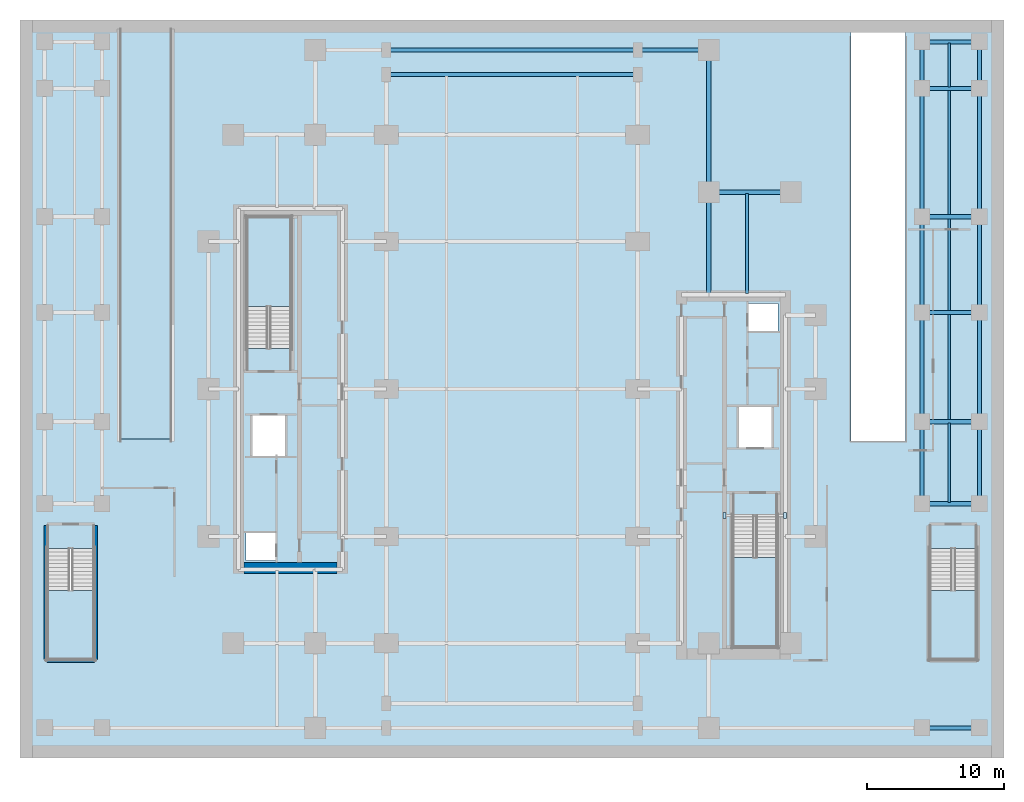
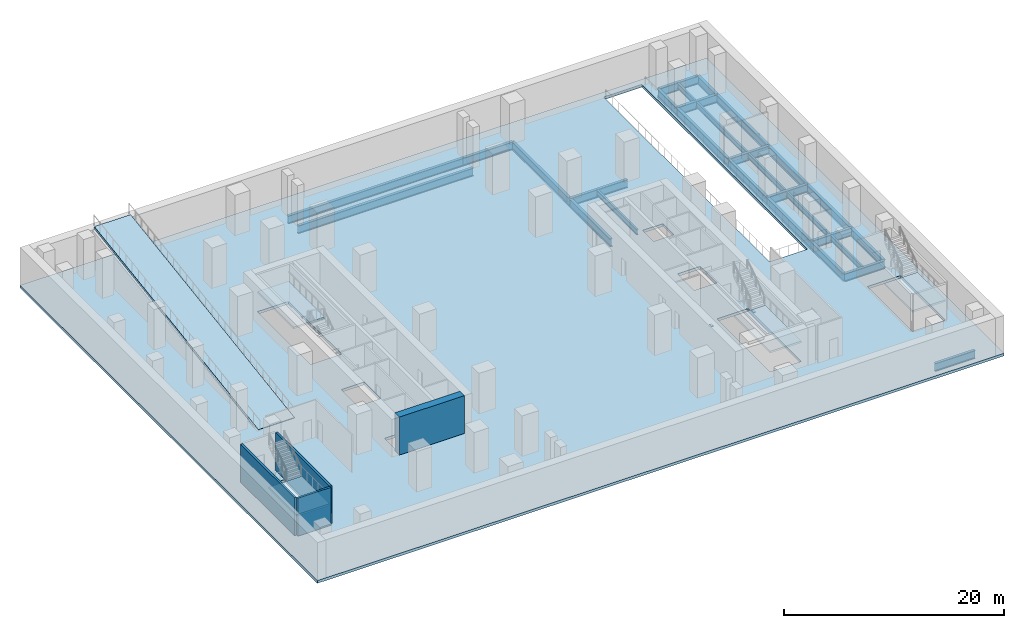
# One storey, part 3 of 14: 29 beams, 6 slabs, 4 walls, 2 plates, 4 elements without a shape of their own.
"""IFC4 building model written with IfcOpenShell, lengths in metres."""

from ifc_helpers import new_model, si_unit, direction, frame, frame_2d, origin, origin_2d, place, context, subcontext, project, spatial, polyline, rectangle, i_section, outline, extrude, material, layer, layer_set, material_profile, profile_set, type_object, element, aggregate, save


model = new_model("IFC4")

# Units and contexts
model_context = context("Model", 3, precision=1e-05, world=origin(), true_north=direction((0.0, 1.0)))
body_context = subcontext(model_context, "Body", "Model", "MODEL_VIEW")
ifc_project = project(units=[si_unit("LENGTHUNIT", "METRE"), si_unit("AREAUNIT", "SQUARE_METRE"), si_unit("VOLUMEUNIT", "CUBIC_METRE"), si_unit("PLANEANGLEUNIT", "RADIAN"), si_unit("MASSUNIT", "GRAM", prefix="KILO")], contexts=[model_context])

# Site, building, storey
site_placement = place(None, origin())
site = spatial("IfcSite", under=ifc_project, at=site_placement, CompositionType="ELEMENT")
building_placement = place(site_placement, origin())
building = spatial("IfcBuilding", under=site, at=building_placement, Name="Khairoan Windgate Tower", CompositionType="ELEMENT")
storey_placement = place(building_placement, frame((0.0, 0.0, -4.5)))
storey = spatial("IfcBuildingStorey", under=building, at=storey_placement, Name="B1", CompositionType="ELEMENT", Elevation=-4.5)

# Beams
ifc_material_1 = material(Name="Steel S355", Category="steel")
ifc_material_profile_1 = material_profile(ifc_material_1, i_section(OverallWidth=0.300048828125, OverallDepth=0.89990234375, WebThickness=0.01611328125, FlangeThickness=0.028076171875, FilletRadius=0.028076171875, at=origin_2d()))
ifc_profile_set_1 = profile_set([ifc_material_profile_1], Name="Steel S355")
beam_type_1 = type_object("IfcBeamType", Name="Beam B-G1 H900x300x16x28", PredefinedType="BEAM", material=ifc_profile_set_1)
for number, where, z_axis, x_axis, name in (
    (1, (30.0, -24.800048828125, -0.75), (1.0, 0.0, 0.0), (0.0, 1.0, 0.0), "B1 E-W Primary Girder 07"),
    (2, (30.0, -8.39990234375, -0.75), (1.0, 0.0, 0.0), (0.0, 1.0, 0.0), "B1 E-W Primary Girder 21"),
    (3, (30.0, -2.39990234375, -0.75), (1.0, 0.0, 0.0), (0.0, 1.0, 0.0), "B1 E-W Primary Girder 23"),
    (4, (30.0, 5.60009765625, -0.75), (1.0, 0.0, 0.0), (0.0, 1.0, 0.0), "B1 E-W Primary Girder 31"),
    (5, (30.0, 12.60009765625, -0.75), (1.0, 0.0, 0.0), (0.0, 1.0, 0.0), "B1 E-W Primary Girder 38"),
):
    element("IfcBeam", number, at=place(storey_placement, frame(where, z_axis=z_axis, x_axis=x_axis)), inside=storey, type_object=beam_type_1, Name=name, PredefinedType="BEAM", context=body_context, shape_type="SweptSolid", body=[
        extrude(i_section(OverallWidth=0.300048828125, OverallDepth=0.89990234375, WebThickness=0.01611328125, FlangeThickness=0.028076171875, FilletRadius=0.028076171875, at=origin_2d()), origin(), (0.0, 0.0, 1.0), 4.199951171875),
    ])
beam_1_placement = place(storey_placement, frame((14.39990234375, 14.39990234375, -0.75), z_axis=(1.0, 0.0, 0.0), x_axis=(0.0, 1.0, 0.0)))
element("IfcBeam", 6, at=beam_1_placement, inside=storey, type_object=beam_type_1, Name="B1 E-W Primary Girder 41", PredefinedType="BEAM", context=body_context, shape_type="SweptSolid", body=[
    extrude(i_section(OverallWidth=0.300048828125, OverallDepth=0.89990234375, WebThickness=0.01611328125, FlangeThickness=0.028076171875, FilletRadius=0.028076171875, at=origin_2d()), origin(), (0.0, 0.0, 1.0), 6.0),
])
beam_2_placement = place(storey_placement, frame((30.0, 22.0, -0.75), z_axis=(1.0, 0.0, 0.0), x_axis=(0.0, 1.0, 0.0)))
element("IfcBeam", 7, at=beam_2_placement, inside=storey, type_object=beam_type_1, Name="B1 E-W Primary Girder 46", PredefinedType="BEAM", context=body_context, shape_type="SweptSolid", body=[
    extrude(i_section(OverallWidth=0.300048828125, OverallDepth=0.89990234375, WebThickness=0.01611328125, FlangeThickness=0.028076171875, FilletRadius=0.028076171875, at=origin_2d()), origin(), (0.0, 0.0, 1.0), 4.199951171875),
])
for number, where, z_axis, x_axis, name in (
    (8, (-9.199951171875, 23.0, -0.75), (1.0, 0.0, 0.0), (0.0, 1.0, 0.0), "B1 E-W Primary Girder 47"),
    (9, (-9.199951171875, 24.800048828125, -0.75), (1.0, 0.0, 0.0), (0.0, 1.0, 0.0), "B1 E-W Primary Girder 49"),
):
    element("IfcBeam", number, at=place(storey_placement, frame(where, z_axis=z_axis, x_axis=x_axis)), inside=storey, type_object=beam_type_1, Name=name, PredefinedType="BEAM", context=body_context, shape_type="SweptSolid", body=[
        extrude(i_section(OverallWidth=0.300048828125, OverallDepth=0.89990234375, WebThickness=0.01611328125, FlangeThickness=0.028076171875, FilletRadius=0.028076171875, at=origin_2d()), origin(), (0.0, 0.0, 1.0), 18.39990234375),
    ])
beam_3_placement = place(storey_placement, frame((9.199951171875, 24.800048828125, -0.75), z_axis=(1.0, 0.0, 0.0), x_axis=(0.0, 1.0, 0.0)))
element("IfcBeam", 10, at=beam_3_placement, inside=storey, type_object=beam_type_1, Name="B1 E-W Primary Girder 50", PredefinedType="BEAM", context=body_context, shape_type="SweptSolid", body=[
    extrude(i_section(OverallWidth=0.300048828125, OverallDepth=0.89990234375, WebThickness=0.01611328125, FlangeThickness=0.028076171875, FilletRadius=0.028076171875, at=origin_2d()), origin(), (0.0, 0.0, 1.0), 5.199951171875),
])
beam_4_placement = place(storey_placement, frame((30.0, 25.39990234375, -0.75), z_axis=(1.0, 0.0, 0.0), x_axis=(0.0, 1.0, 0.0)))
element("IfcBeam", 11, at=beam_4_placement, inside=storey, type_object=beam_type_1, Name="B1 E-W Primary Girder 52", PredefinedType="BEAM", context=body_context, shape_type="SweptSolid", body=[
    extrude(i_section(OverallWidth=0.300048828125, OverallDepth=0.89990234375, WebThickness=0.01611328125, FlangeThickness=0.028076171875, FilletRadius=0.028076171875, at=origin_2d()), origin(), (0.0, 0.0, 1.0), 4.199951171875),
])
beam_5_placement = place(storey_placement, frame((14.39990234375, 6.89990234375, -0.75), z_axis=(0.0, 1.0, 0.0), x_axis=(-1.0, 0.0, 0.0)))
element("IfcBeam", 12, at=beam_5_placement, inside=storey, type_object=beam_type_1, Name="B1 N-S Primary Beam 93", PredefinedType="BEAM", context=body_context, shape_type="SweptSolid", body=[
    extrude(i_section(OverallWidth=0.300048828125, OverallDepth=0.89990234375, WebThickness=0.01611328125, FlangeThickness=0.028076171875, FilletRadius=0.028076171875, at=origin_2d()), origin(), (0.0, 0.0, 1.0), 7.5),
])
beam_6_placement = place(storey_placement, frame((14.39990234375, 14.39990234375, -0.75), z_axis=(0.0, 1.0, 0.0), x_axis=(-1.0, 0.0, 0.0)))
element("IfcBeam", 13, at=beam_6_placement, inside=storey, type_object=beam_type_1, Name="B1 N-S Primary Beam 94", PredefinedType="BEAM", context=body_context, shape_type="SweptSolid", body=[
    extrude(i_section(OverallWidth=0.300048828125, OverallDepth=0.89990234375, WebThickness=0.01611328125, FlangeThickness=0.028076171875, FilletRadius=0.028076171875, at=origin_2d()), origin(), (0.0, 0.0, 1.0), 10.400146484375),
])
beam_7_placement = place(storey_placement, frame((30.0, -8.39990234375, -0.75), z_axis=(0.0, 1.0, 0.0), x_axis=(-1.0, 0.0, 0.0)))
element("IfcBeam", 14, at=beam_7_placement, inside=storey, type_object=beam_type_1, Name="B1 N-S Primary Beam 100", PredefinedType="BEAM", context=body_context, shape_type="SweptSolid", body=[
    extrude(i_section(OverallWidth=0.300048828125, OverallDepth=0.89990234375, WebThickness=0.01611328125, FlangeThickness=0.028076171875, FilletRadius=0.028076171875, at=origin_2d()), origin(), (0.0, 0.0, 1.0), 6.0),
])
beam_8_placement = place(storey_placement, frame((30.0, -2.39990234375, -0.75), z_axis=(0.0, 1.0, 0.0), x_axis=(-1.0, 0.0, 0.0)))
element("IfcBeam", 15, at=beam_8_placement, inside=storey, type_object=beam_type_1, Name="B1 N-S Primary Beam 101", PredefinedType="BEAM", context=body_context, shape_type="SweptSolid", body=[
    extrude(i_section(OverallWidth=0.300048828125, OverallDepth=0.89990234375, WebThickness=0.01611328125, FlangeThickness=0.028076171875, FilletRadius=0.028076171875, at=origin_2d()), origin(), (0.0, 0.0, 1.0), 8.0),
])
beam_9_placement = place(storey_placement, frame((30.0, 5.60009765625, -0.75), z_axis=(0.0, 1.0, 0.0), x_axis=(-1.0, 0.0, 0.0)))
element("IfcBeam", 16, at=beam_9_placement, inside=storey, type_object=beam_type_1, Name="B1 N-S Primary Beam 102", PredefinedType="BEAM", context=body_context, shape_type="SweptSolid", body=[
    extrude(i_section(OverallWidth=0.300048828125, OverallDepth=0.89990234375, WebThickness=0.01611328125, FlangeThickness=0.028076171875, FilletRadius=0.028076171875, at=origin_2d()), origin(), (0.0, 0.0, 1.0), 7.0),
])
beam_10_placement = place(storey_placement, frame((30.0, 12.60009765625, -0.75), z_axis=(0.0, 1.0, 0.0), x_axis=(-1.0, 0.0, 0.0)))
element("IfcBeam", 17, at=beam_10_placement, inside=storey, type_object=beam_type_1, Name="B1 N-S Primary Beam 103", PredefinedType="BEAM", context=body_context, shape_type="SweptSolid", body=[
    extrude(i_section(OverallWidth=0.300048828125, OverallDepth=0.89990234375, WebThickness=0.01611328125, FlangeThickness=0.028076171875, FilletRadius=0.028076171875, at=origin_2d()), origin(), (0.0, 0.0, 1.0), 9.39990234375),
])
beam_11_placement = place(storey_placement, frame((30.0, 22.0, -0.75), z_axis=(0.0, 1.0, 0.0), x_axis=(-1.0, 0.0, 0.0)))
element("IfcBeam", 18, at=beam_11_placement, inside=storey, type_object=beam_type_1, Name="B1 N-S Primary Beam 104", PredefinedType="BEAM", context=body_context, shape_type="SweptSolid", body=[
    extrude(i_section(OverallWidth=0.300048828125, OverallDepth=0.89990234375, WebThickness=0.01611328125, FlangeThickness=0.028076171875, FilletRadius=0.028076171875, at=origin_2d()), origin(), (0.0, 0.0, 1.0), 3.39990234375),
])
beam_12_placement = place(storey_placement, frame((34.199951171875, -8.39990234375, -0.75), z_axis=(0.0, 1.0, 0.0), x_axis=(-1.0, 0.0, 0.0)))
element("IfcBeam", 19, at=beam_12_placement, inside=storey, type_object=beam_type_1, Name="B1 N-S Primary Beam 105", PredefinedType="BEAM", context=body_context, shape_type="SweptSolid", body=[
    extrude(i_section(OverallWidth=0.300048828125, OverallDepth=0.89990234375, WebThickness=0.01611328125, FlangeThickness=0.028076171875, FilletRadius=0.028076171875, at=origin_2d()), origin(), (0.0, 0.0, 1.0), 6.0),
])
beam_13_placement = place(storey_placement, frame((34.199951171875, -2.39990234375, -0.75), z_axis=(0.0, 1.0, 0.0), x_axis=(-1.0, 0.0, 0.0)))
element("IfcBeam", 20, at=beam_13_placement, inside=storey, type_object=beam_type_1, Name="B1 N-S Primary Beam 106", PredefinedType="BEAM", context=body_context, shape_type="SweptSolid", body=[
    extrude(i_section(OverallWidth=0.300048828125, OverallDepth=0.89990234375, WebThickness=0.01611328125, FlangeThickness=0.028076171875, FilletRadius=0.028076171875, at=origin_2d()), origin(), (0.0, 0.0, 1.0), 8.0),
])
beam_14_placement = place(storey_placement, frame((34.199951171875, 5.60009765625, -0.75), z_axis=(0.0, 1.0, 0.0), x_axis=(-1.0, 0.0, 0.0)))
element("IfcBeam", 21, at=beam_14_placement, inside=storey, type_object=beam_type_1, Name="B1 N-S Primary Beam 107", PredefinedType="BEAM", context=body_context, shape_type="SweptSolid", body=[
    extrude(i_section(OverallWidth=0.300048828125, OverallDepth=0.89990234375, WebThickness=0.01611328125, FlangeThickness=0.028076171875, FilletRadius=0.028076171875, at=origin_2d()), origin(), (0.0, 0.0, 1.0), 7.0),
])
beam_15_placement = place(storey_placement, frame((34.199951171875, 12.60009765625, -0.75), z_axis=(0.0, 1.0, 0.0), x_axis=(-1.0, 0.0, 0.0)))
element("IfcBeam", 22, at=beam_15_placement, inside=storey, type_object=beam_type_1, Name="B1 N-S Primary Beam 108", PredefinedType="BEAM", context=body_context, shape_type="SweptSolid", body=[
    extrude(i_section(OverallWidth=0.300048828125, OverallDepth=0.89990234375, WebThickness=0.01611328125, FlangeThickness=0.028076171875, FilletRadius=0.028076171875, at=origin_2d()), origin(), (0.0, 0.0, 1.0), 9.39990234375),
])
beam_16_placement = place(storey_placement, frame((34.199951171875, 22.0, -0.75), z_axis=(0.0, 1.0, 0.0), x_axis=(-1.0, 0.0, 0.0)))
element("IfcBeam", 23, at=beam_16_placement, inside=storey, type_object=beam_type_1, Name="B1 N-S Primary Beam 109", PredefinedType="BEAM", context=body_context, shape_type="SweptSolid", body=[
    extrude(i_section(OverallWidth=0.300048828125, OverallDepth=0.89990234375, WebThickness=0.01611328125, FlangeThickness=0.028076171875, FilletRadius=0.028076171875, at=origin_2d()), origin(), (0.0, 0.0, 1.0), 3.39990234375),
])
ifc_material_2 = material(Name="Steel S355", Category="steel")
ifc_material_profile_2 = material_profile(ifc_material_2, i_section(OverallWidth=0.199951171875, OverallDepth=0.60009765625, WebThickness=0.010986328125, FlangeThickness=0.01708984375, FilletRadius=0.02197265625, at=origin_2d()))
ifc_profile_set_2 = profile_set([ifc_material_profile_2], Name="Steel S355")
beam_type_2 = type_object("IfcBeamType", Name="Beam J-S1 H600x200x11x17", PredefinedType="JOIST", material=ifc_profile_set_2)
beam_17_placement = place(storey_placement, frame((17.199951171875, 6.989990234375, -0.60009765625), z_axis=(0.0, 1.0, 0.0), x_axis=(-1.0, 0.0, 0.0)))
element("IfcBeam", 24, at=beam_17_placement, inside=storey, type_object=beam_type_2, Name="B1 Secondary Floor Joist 21", PredefinedType="JOIST", context=body_context, shape_type="SweptSolid", body=[
    extrude(i_section(OverallWidth=0.199951171875, OverallDepth=0.60009765625, WebThickness=0.010986328125, FlangeThickness=0.01708984375, FilletRadius=0.02197265625, at=origin_2d()), origin(), (0.0, 0.0, 1.0), 7.320068359375),
])
beam_18_placement = place(storey_placement, frame((32.0, -8.31005859375, -0.60009765625), z_axis=(0.0, 1.0, 0.0), x_axis=(-1.0, 0.0, 0.0)))
element("IfcBeam", 25, at=beam_18_placement, inside=storey, type_object=beam_type_2, Name="B1 Secondary Floor Joist 22", PredefinedType="JOIST", context=body_context, shape_type="SweptSolid", body=[
    extrude(i_section(OverallWidth=0.199951171875, OverallDepth=0.60009765625, WebThickness=0.010986328125, FlangeThickness=0.01708984375, FilletRadius=0.02197265625, at=origin_2d()), origin(), (0.0, 0.0, 1.0), 5.820068359375),
])
beam_19_placement = place(storey_placement, frame((32.0, -2.31005859375, -0.60009765625), z_axis=(0.0, 1.0, 0.0), x_axis=(-1.0, 0.0, 0.0)))
element("IfcBeam", 26, at=beam_19_placement, inside=storey, type_object=beam_type_2, Name="B1 Secondary Floor Joist 23", PredefinedType="JOIST", context=body_context, shape_type="SweptSolid", body=[
    extrude(i_section(OverallWidth=0.199951171875, OverallDepth=0.60009765625, WebThickness=0.010986328125, FlangeThickness=0.01708984375, FilletRadius=0.02197265625, at=origin_2d()), origin(), (0.0, 0.0, 1.0), 7.820068359375),
])
beam_20_placement = place(storey_placement, frame((32.0, 5.68994140625, -0.60009765625), z_axis=(0.0, 1.0, 0.0), x_axis=(-1.0, 0.0, 0.0)))
element("IfcBeam", 27, at=beam_20_placement, inside=storey, type_object=beam_type_2, Name="B1 Secondary Floor Joist 24", PredefinedType="JOIST", context=body_context, shape_type="SweptSolid", body=[
    extrude(i_section(OverallWidth=0.199951171875, OverallDepth=0.60009765625, WebThickness=0.010986328125, FlangeThickness=0.01708984375, FilletRadius=0.02197265625, at=origin_2d()), origin(), (0.0, 0.0, 1.0), 6.820068359375),
])
beam_21_placement = place(storey_placement, frame((32.0, 12.68994140625, -0.60009765625), z_axis=(0.0, 1.0, 0.0), x_axis=(-1.0, 0.0, 0.0)))
element("IfcBeam", 28, at=beam_21_placement, inside=storey, type_object=beam_type_2, Name="B1 Secondary Floor Joist 25", PredefinedType="JOIST", context=body_context, shape_type="SweptSolid", body=[
    extrude(i_section(OverallWidth=0.199951171875, OverallDepth=0.60009765625, WebThickness=0.010986328125, FlangeThickness=0.01708984375, FilletRadius=0.02197265625, at=origin_2d()), origin(), (0.0, 0.0, 1.0), 9.219970703125),
])
beam_22_placement = place(storey_placement, frame((32.0, 22.090087890625, -0.60009765625), z_axis=(0.0, 1.0, 0.0), x_axis=(-1.0, 0.0, 0.0)))
element("IfcBeam", 29, at=beam_22_placement, inside=storey, type_object=beam_type_2, Name="B1 Secondary Floor Joist 26", PredefinedType="JOIST", context=body_context, shape_type="SweptSolid", body=[
    extrude(i_section(OverallWidth=0.199951171875, OverallDepth=0.60009765625, WebThickness=0.010986328125, FlangeThickness=0.01708984375, FilletRadius=0.02197265625, at=origin_2d()), origin(), (0.0, 0.0, 1.0), 3.219970703125),
])

# Plates
ifc_material_3 = material(Name="Steel S355", Category="steel")
ifc_layer_1 = layer(ifc_material_3, 0.0400390625, Name="Steel S355")
ifc_layer_set_1 = layer_set([ifc_layer_1], Name="Steel S355")
plate_type = type_object("IfcPlateType", Name="Hollow Section End-Cap Plate PL-CAP40", PredefinedType="SHEET", material=ifc_layer_set_1)
for number, where, z_axis, x_axis, name in (
    (30, (15.56494140625, -9.260009765625, -0.52001953125), (0.0, 0.0, 1.0), (1.0, 0.0, 0.0), "BM-ST1-TRIM-B1 steel end-cap plate 1"),
    (31, (19.985107421875, -9.260009765625, -0.52001953125), (0.0, 0.0, 1.0), (1.0, 0.0, 0.0), "BM-ST1-TRIM-B1 steel end-cap plate 2"),
):
    element("IfcPlate", number, at=place(storey_placement, frame(where, z_axis=z_axis, x_axis=x_axis)), inside=storey, type_object=plate_type, Name=name, PredefinedType="SHEET", context=body_context, shape_type="SweptSolid", body=[
        extrude(rectangle(XDim=0.219970703125, YDim=0.419921875, at=origin_2d()), origin(), (0.0, 0.0, 1.0), 0.0400390625),
    ])

# Slab
ifc_material_4 = material(Name="Concrete C40/50", Category="concrete")
ifc_layer_2 = layer(ifc_material_4, 0.300048828125, Name="Concrete C40/50")
ifc_layer_set_2 = layer_set([ifc_layer_2], Name="Concrete C40/50")
slab_type_1 = type_object("IfcSlabType", Name="Podium Floor Slab FS1 300mm", PredefinedType="FLOOR", material=ifc_layer_set_2)
slab_1_placement = place(storey_placement, frame((0.0, 0.0, -0.300048828125)))
element("IfcSlab", 32, at=slab_1_placement, inside=storey, type_object=slab_type_1, Name="B1 Structural Floor Slab", PredefinedType="FLOOR", context=body_context, shape_type="SweptSolid", body=[
    extrude(outline(polyline([(-36.0, -27.0), (36.0, -27.0), (36.0, 27.0), (-36.0, 27.0), (-36.0, -27.0)]), holes=[polyline([(16.14990234375, -9.260009765625), (16.14990234375, -18.89990234375), (19.419921875, -18.89990234375), (19.419921875, -9.260009765625), (16.14990234375, -9.260009765625)]), polyline([(-16.14990234375, 2.9599609375), (-16.14990234375, 12.60009765625), (-19.419921875, 12.60009765625), (-19.419921875, 2.9599609375), (-16.14990234375, 2.9599609375)]), polyline([(30.550048828125, -11.659912109375), (30.550048828125, -19.800048828125), (34.02001953125, -19.800048828125), (34.02001953125, -11.659912109375), (30.550048828125, -11.659912109375)]), polyline([(-34.02001953125, -11.659912109375), (-34.02001953125, -19.800048828125), (-30.550048828125, -19.800048828125), (-30.550048828125, -11.659912109375), (-34.02001953125, -11.659912109375)]), polyline([(16.60009765625, -4.300048828125), (19.0, -4.300048828125), (19.0, -1.300048828125), (16.60009765625, -1.300048828125), (16.60009765625, -4.300048828125)]), polyline([(-19.0, -4.89990234375), (-16.60009765625, -4.89990234375), (-16.60009765625, -1.89990234375), (-19.0, -1.89990234375), (-19.0, -4.89990234375)]), polyline([(-19.449951171875, -12.550048828125), (-17.31005859375, -12.550048828125), (-17.31005859375, -10.550048828125), (-19.449951171875, -10.550048828125), (-19.449951171875, -12.550048828125)]), polyline([(17.31005859375, 4.25), (19.449951171875, 4.25), (19.449951171875, 6.25), (17.31005859375, 6.25), (17.31005859375, 4.25)]), polyline([(24.800048828125, -3.800048828125), (28.800048828125, -3.800048828125), (28.800048828125, 26.300048828125), (24.800048828125, 26.300048828125), (24.800048828125, -3.800048828125)])]), origin(), (0.0, 0.0, 1.0), 0.300048828125),
])

# Stair, slab
ifc_material_5 = material(Name="Concrete C40/50", Category="concrete")
stair_type_1 = type_object("IfcStairType", Name="Tower Core Dog-Leg Stair ST-T1 1560mm", PredefinedType="HALF_TURN_STAIR", material=ifc_material_5)
stair_1_placement = place(storey_placement, origin())
stair_1 = element("IfcStair", 33, at=stair_1_placement, inside=storey, type_object=stair_type_1, Name="B1 Stair ST1", PredefinedType="HALF_TURN_STAIR")
ifc_material_6 = material(Name="Concrete C40/50", Category="concrete")
ifc_layer_3 = layer(ifc_material_6, 0.199951171875, Name="Concrete C40/50")
ifc_layer_set_3 = layer_set([ifc_layer_3], Name="Concrete C40/50")
slab_type_2 = type_object("IfcSlabType", Name="Reinforced Concrete Stair Landing Slab STL-200", PredefinedType="LANDING", material=ifc_layer_set_3)
slab_2_placement = place(storey_placement, frame((0.0, 0.0, 2.050048828125)))
slab_2 = element("IfcSlab", 34, at=slab_2_placement, type_object=slab_type_2, Name="ST1 landing 1", PredefinedType="LANDING", context=body_context, shape_type="SweptSolid", body=[
    extrude(outline(polyline([(16.14990234375, -12.340087890625), (16.14990234375, -18.89990234375), (19.419921875, -18.89990234375), (19.419921875, -12.340087890625), (16.14990234375, -12.340087890625)])), origin(), (0.0, 0.0, 1.0), 0.199951171875),
])
aggregate(stair_1, [slab_2])

stair_2_placement = place(storey_placement, origin())
stair_2 = element("IfcStair", 35, at=stair_2_placement, inside=storey, type_object=stair_type_1, Name="B1 Stair ST2", PredefinedType="HALF_TURN_STAIR")
slab_3_placement = place(storey_placement, frame((0.0, 0.0, 2.050048828125)))
slab_3 = element("IfcSlab", 36, at=slab_3_placement, type_object=slab_type_2, Name="ST2 landing 1", PredefinedType="LANDING", context=body_context, shape_type="SweptSolid", body=[
    extrude(outline(polyline([(-16.14990234375, 6.0400390625), (-16.14990234375, 12.60009765625), (-19.419921875, 12.60009765625), (-19.419921875, 6.0400390625), (-16.14990234375, 6.0400390625)])), origin(), (0.0, 0.0, 1.0), 0.199951171875),
])
aggregate(stair_2, [slab_3])

ifc_material_7 = material(Name="Concrete C40/50", Category="concrete")
stair_type_2 = type_object("IfcStairType", Name="Podium Exit Dog-Leg Stair ST-T2 1660mm", PredefinedType="HALF_TURN_STAIR", material=ifc_material_7)
stair_3_placement = place(storey_placement, origin())
stair_3 = element("IfcStair", 37, at=stair_3_placement, inside=storey, type_object=stair_type_2, Name="B1 Stair ST3", PredefinedType="HALF_TURN_STAIR")
slab_4_placement = place(storey_placement, frame((0.0, 0.0, 2.050048828125)))
slab_4 = element("IfcSlab", 38, at=slab_4_placement, type_object=slab_type_2, Name="ST3 landing 1", PredefinedType="LANDING", context=body_context, shape_type="SweptSolid", body=[
    extrude(outline(polyline([(30.550048828125, -14.739990234375), (30.550048828125, -19.800048828125), (34.02001953125, -19.800048828125), (34.02001953125, -14.739990234375), (30.550048828125, -14.739990234375)])), origin(), (0.0, 0.0, 1.0), 0.199951171875),
])
aggregate(stair_3, [slab_4])

stair_4_placement = place(storey_placement, origin())
stair_4 = element("IfcStair", 39, at=stair_4_placement, inside=storey, type_object=stair_type_2, Name="B1 Stair ST4", PredefinedType="HALF_TURN_STAIR")
slab_5_placement = place(storey_placement, frame((0.0, 0.0, 2.050048828125)))
slab_5 = element("IfcSlab", 40, at=slab_5_placement, type_object=slab_type_2, Name="ST4 landing 1", PredefinedType="LANDING", context=body_context, shape_type="SweptSolid", body=[
    extrude(outline(polyline([(-34.02001953125, -14.739990234375), (-34.02001953125, -19.800048828125), (-30.550048828125, -19.800048828125), (-30.550048828125, -14.739990234375), (-34.02001953125, -14.739990234375)])), origin(), (0.0, 0.0, 1.0), 0.199951171875),
])
aggregate(stair_4, [slab_5])

# Slab
ifc_material_8 = material(Name="Concrete C40/50", Category="concrete")
ifc_layer_4 = layer(ifc_material_8, 0.260009765625, Name="Concrete C40/50")
ifc_layer_set_4 = layer_set([ifc_layer_4], Name="Concrete C40/50")
slab_type_3 = type_object("IfcSlabType", Name="Vehicle Ramp Structural Slab VS-260", PredefinedType="FLOOR", material=ifc_layer_set_4)
slab_6_placement = place(storey_placement, frame((-28.699951171875, -3.64990234375, 0.0283203125), z_axis=(0.0, -0.147476592982, 0.98906554612), x_axis=(1.0, 0.0, 0.0)))
element("IfcSlab", 41, at=slab_6_placement, inside=storey, type_object=slab_type_3, Name="Car Park Vehicular Ramp R1 (L01 to B1) Structural Concrete Slab", PredefinedType="FLOOR", context=body_context, shape_type="SweptSolid", body=[
    extrude(outline(polyline([(0.0, 0.0), (3.800048828125, 0.0), (3.800048828125, 30.129251599542716), (0.0, 30.129251599542716), (0.0, 0.0)])), origin(), (0.0, 0.0, -1.0), 0.260009765625),
])

# Walls
ifc_material_9 = material(Name="Concrete C70/85", Category="concrete")
ifc_layer_5 = layer(ifc_material_9, 0.800048828125, Name="Concrete C70/85")
ifc_layer_set_5 = layer_set([ifc_layer_5], Name="Concrete C70/85")
wall_type_1 = type_object("IfcWallType", Name="Shear Wall CW-W1 800mm", PredefinedType="SHEAR", material=ifc_layer_set_5)
wall_1_placement = place(storey_placement, frame((-19.60009765625, -13.10009765625, 0.0), z_axis=(0.0, 0.0, 1.0), x_axis=(1.0, 0.0, 0.0)))
element("IfcWall", 42, at=wall_1_placement, inside=storey, type_object=wall_type_1, Name="W Core South Shear Wall B1", PredefinedType="SHEAR", context=body_context, shape_type="SweptSolid", body=[
    extrude(rectangle(XDim=6.800048828125, YDim=0.800048828125, at=frame_2d((3.39990234375, 0.0))), origin(), (0.0, 0.0, 1.0), 4.199951171875),
])
ifc_material_10 = material(Name="Concrete C50/60", Category="concrete")
ifc_layer_6 = layer(ifc_material_10, 0.219970703125, Name="Concrete C50/60")
ifc_layer_set_6 = layer_set([ifc_layer_6], Name="Concrete C50/60")
wall_type_2 = type_object("IfcWallType", Name="Shear Wall SW-ST 220mm", PredefinedType="SHEAR", material=ifc_layer_set_6)
wall_2_placement = place(storey_placement, frame((-34.02001953125, -19.909912109375, 0.0), z_axis=(0.0, 0.0, 1.0), x_axis=(1.0, 0.0, 0.0)))
element("IfcWall", 43, at=wall_2_placement, inside=storey, type_object=wall_type_2, Name="B1 ST4 South Bearing Wall", PredefinedType="SHEAR", context=body_context, shape_type="SweptSolid", body=[
    extrude(rectangle(XDim=3.469970703125, YDim=0.219970703125, at=frame_2d((1.73486328125, 0.0))), origin(), (0.0, 0.0, 1.0), 4.199951171875),
])
for number, where, z_axis, x_axis, name in (
    (44, (-34.1298828125, -19.800048828125, 0.0), (0.0, 0.0, 1.0), (0.0, 1.0, 0.0), "B1 ST4 West Bearing Wall"),
    (45, (-30.43994140625, -19.800048828125, 0.0), (0.0, 0.0, 1.0), (0.0, 1.0, 0.0), "B1 ST4 East Bearing Wall"),
):
    element("IfcWall", number, at=place(storey_placement, frame(where, z_axis=z_axis, x_axis=x_axis)), inside=storey, type_object=wall_type_2, Name=name, PredefinedType="SHEAR", context=body_context, shape_type="SweptSolid", body=[
        extrude(rectangle(XDim=9.800048828125, YDim=0.219970703125, at=frame_2d((4.89990234375, 0.0))), origin(), (0.0, 0.0, 1.0), 4.199951171875),
    ])

save(model, "model.ifc")
